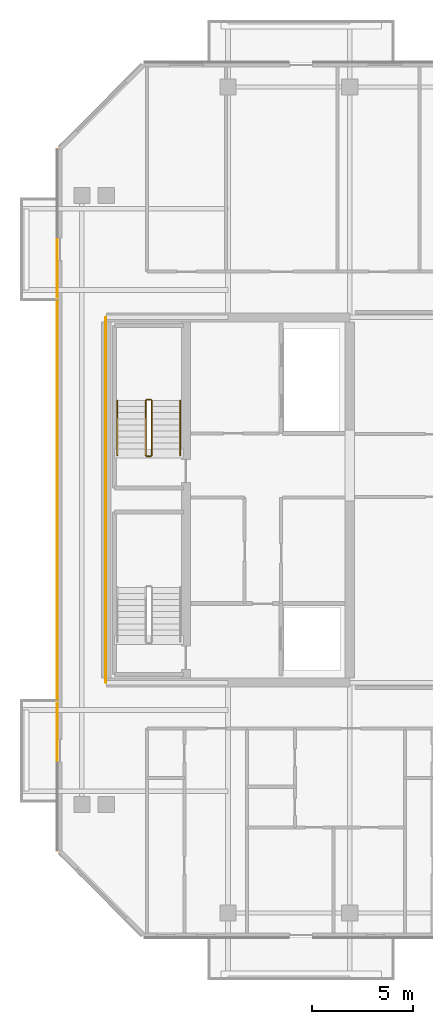
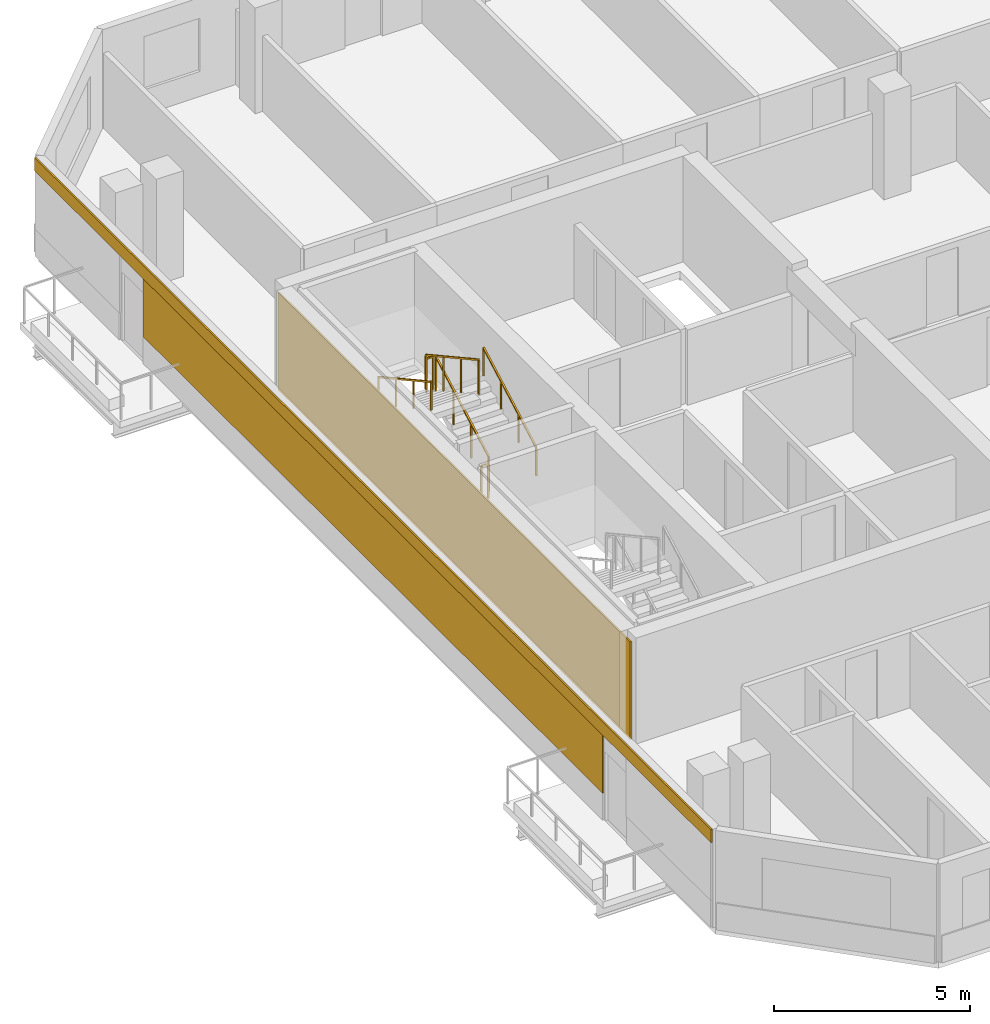
# One storey, part 18 of 20: 6 railings, 3 coverings.
"""IFC4 building model written with IfcOpenShell, lengths in metres."""

from ifc_helpers import new_model, si_unit, direction, frame, origin, origin_2d, place, context, subcontext, project, spatial, rectangle, extrude, material, layer, layer_set, type_object, element, save


model = new_model("IFC4")

# Units and contexts
model_context = context("Model", 3, precision=1e-05, world=origin(), true_north=direction((0.0, 1.0)))
body_context = subcontext(model_context, "Body", "Model", "MODEL_VIEW")
ifc_project = project(units=[si_unit("LENGTHUNIT", "METRE"), si_unit("AREAUNIT", "SQUARE_METRE"), si_unit("VOLUMEUNIT", "CUBIC_METRE"), si_unit("PLANEANGLEUNIT", "RADIAN"), si_unit("MASSUNIT", "GRAM", prefix="KILO")], contexts=[model_context])

# Site, building, storey
site_placement = place(None, origin())
site = spatial("IfcSite", under=ifc_project, at=site_placement, CompositionType="ELEMENT")
building_placement = place(site_placement, origin())
building = spatial("IfcBuilding", under=site, at=building_placement, Name="Tanjung Sevakor Pilgrim Tower", CompositionType="ELEMENT")
storey_placement = place(building_placement, frame((0.0, 0.0, 201.6298828125)))
storey = spatial("IfcBuildingStorey", under=building, at=storey_placement, Name="L56", CompositionType="ELEMENT", Elevation=201.6298828125)

# Coverings
ifc_material_1 = material(Name="Reconstructed Limestone Cladding", Category="masonry")
ifc_layer = layer(ifc_material_1, 0.044921875)
ifc_layer_set = layer_set([ifc_layer], Name="COV-CLAD-LIMESTONE")
covering_type = type_object("IfcCoveringType", Name="COV-CLAD-LIMESTONE", PredefinedType="CLADDING", material=ifc_layer_set)
covering_1_placement = place(storey_placement, frame((21.577392578125, 33.60009765625, 2.66015625), z_axis=(0.0, 0.0, 1.0), x_axis=(0.0, -1.0, 0.0)))
element("IfcCovering", 1, at=covering_1_placement, inside=storey, type_object=covering_type, Name="L56 Warm Limestone Cornice Spandrel EW-L56-MAIN-15", PredefinedType="CLADDING", context=body_context, shape_type="SweptSolid", body=[
    extrude(rectangle(XDim=34.56884765625, YDim=0.044921875, at=origin_2d()), origin(), (0.0, 0.0, 1.0), 0.409912109375),
])
covering_2_placement = place(storey_placement, frame((21.577392578125, 33.60009765625, 0.85009765625), z_axis=(0.0, 0.0, 1.0), x_axis=(0.0, -1.0, 0.0)))
element("IfcCovering", 2, at=covering_2_placement, inside=storey, type_object=covering_type, Name="L56 Warm Limestone Pier Panel EW-L56-MAIN-15-2", PredefinedType="CLADDING", context=body_context, shape_type="SweptSolid", body=[
    extrude(rectangle(XDim=23.5, YDim=0.044921875, at=origin_2d()), origin(), (0.0, 0.0, 1.0), 1.81005859375),
])
covering_3_placement = place(storey_placement, frame((23.9775390625, 33.60009765625, 0.02001953125), z_axis=(0.0, 0.0, 1.0), x_axis=(1.0, 0.0, 0.0)))
element("IfcCovering", 3, at=covering_3_placement, inside=storey, type_object=covering_type, Name="L56 Expressed Core Warm Limestone Cladding W", PredefinedType="CLADDING", context=body_context, shape_type="SweptSolid", body=[
    extrude(rectangle(XDim=0.044921875, YDim=18.0, at=origin_2d()), origin(), (0.0, 0.0, 1.0), 3.0400390625),
])

# Railings
ifc_material_2 = material(Name="Steel S355J2", Category="steel")
railing_type_1 = type_object("IfcRailingType", Name="RL-STAIR-GUARD", PredefinedType="GUARDRAIL", material=ifc_material_2)
railing_1_placement = place(storey_placement, frame((26.25, 35.800048828125, 0.1650390625)))
element("IfcRailing", 4, at=railing_1_placement, inside=storey, type_object=railing_type_1, Name="L56 TS-W2 stair guard 1", PredefinedType="GUARDRAIL", context=body_context, shape_type="SweptSolid", body=[
    extrude(rectangle(XDim=0.0479, YDim=0.0479), frame((0.0, 0.0, 1.076171875), z_axis=(0.0, 0.876197507361, 0.481952205197), x_axis=(-1.0, 0.0, 0.0)), (0.0, 0.0, 1.0), 3.08154296875),
    extrude(rectangle(XDim=0.042, YDim=0.042), origin(), (0.0, 0.0, 1.0), 1.052001953125),
    extrude(rectangle(XDim=0.042, YDim=0.042), frame((0.0, 0.89990234375, 0.4951171875)), (0.0, 0.0, 1.0), 1.052001953125),
    extrude(rectangle(XDim=0.042, YDim=0.042), frame((0.0, 1.800048828125, 0.989990234375)), (0.0, 0.0, 1.0), 1.052001953125),
    extrude(rectangle(XDim=0.042, YDim=0.042), frame((0.0, 2.699951171875, 1.485107421875)), (0.0, 0.0, 1.0), 1.052001953125),
])
railing_2_placement = place(storey_placement, frame((26.199951171875, 38.550048828125, 1.650146484375)))
element("IfcRailing", 5, at=railing_2_placement, inside=storey, type_object=railing_type_1, Name="L56 TS-W2 stair guard 2", PredefinedType="GUARDRAIL", context=body_context, shape_type="SweptSolid", body=[
    extrude(rectangle(XDim=0.0479, YDim=0.0479), frame((0.0, 0.0, 1.076171875), z_axis=(-1.0, 0.0, 0.0), x_axis=(0.0, -1.0, 0.0)), (0.0, 0.0, 1.0), 0.199951171875),
    extrude(rectangle(XDim=0.042, YDim=0.042), origin(), (0.0, 0.0, 1.0), 1.052001953125),
    extrude(rectangle(XDim=0.042, YDim=0.042), frame((-0.199951171875, 0.0, 0.0)), (0.0, 0.0, 1.0), 1.052001953125),
])
railing_3_placement = place(storey_placement, frame((25.949951171875, 38.5, 1.815185546875)))
element("IfcRailing", 6, at=railing_3_placement, inside=storey, type_object=railing_type_1, Name="L56 TS-W2 stair guard 3", PredefinedType="GUARDRAIL", context=body_context, shape_type="SweptSolid", body=[
    extrude(rectangle(XDim=0.0479, YDim=0.0479), frame((0.0, 0.0, 1.076171875), z_axis=(0.0, -0.876230963923, 0.481891375584), x_axis=(1.0, 0.0, 0.0)), (0.0, 0.0, 1.0), 3.081298828125),
    extrude(rectangle(XDim=0.042, YDim=0.042), origin(), (0.0, 0.0, 1.0), 1.052001953125),
    extrude(rectangle(XDim=0.042, YDim=0.042), frame((0.0, -0.89990234375, 0.494873046875)), (0.0, 0.0, 1.0), 1.052001953125),
    extrude(rectangle(XDim=0.042, YDim=0.042), frame((0.0, -1.800048828125, 0.989990234375)), (0.0, 0.0, 1.0), 1.052001953125),
    extrude(rectangle(XDim=0.042, YDim=0.042), frame((0.0, -2.699951171875, 1.48486328125)), (0.0, 0.0, 1.0), 1.052001953125),
])
railing_4_placement = place(storey_placement, frame((26.199951171875, 35.75, 0.0)))
element("IfcRailing", 7, at=railing_4_placement, inside=storey, type_object=railing_type_1, Name="L56 TS-W2 stair guard 4", PredefinedType="GUARDRAIL", context=body_context, shape_type="SweptSolid", body=[
    extrude(rectangle(XDim=0.0479, YDim=0.0479), frame((0.0, 0.0, 1.076171875), z_axis=(-1.0, 0.0, 0.0), x_axis=(0.0, -1.0, 0.0)), (0.0, 0.0, 1.0), 0.199951171875),
    extrude(rectangle(XDim=0.042, YDim=0.042), origin(), (0.0, 0.0, 1.0), 1.052001953125),
    extrude(rectangle(XDim=0.042, YDim=0.042), frame((-0.199951171875, 0.0, 0.0)), (0.0, 0.0, 1.0), 1.052001953125),
])
ifc_material_3 = material(Name="Steel S355J2", Category="steel")
railing_type_2 = type_object("IfcRailingType", Name="RL-STAIR-HAND", PredefinedType="HANDRAIL", material=ifc_material_3)
railing_5_placement = place(storey_placement, frame((27.64990234375, 35.800048828125, 0.1650390625)))
element("IfcRailing", 8, at=railing_5_placement, inside=storey, type_object=railing_type_2, Name="L56 TS-W2 stair handrail 1", PredefinedType="HANDRAIL", context=body_context, shape_type="SweptSolid", body=[
    extrude(rectangle(XDim=0.0479, YDim=0.0479), frame((0.0, 0.0, 0.8759765625), z_axis=(0.0, 0.876197507361, 0.481952205197), x_axis=(-1.0, 0.0, 0.0)), (0.0, 0.0, 1.0), 3.08154296875),
    extrude(rectangle(XDim=0.042, YDim=0.042), origin(), (0.0, 0.0, 1.0), 0.851806640625),
    extrude(rectangle(XDim=0.042, YDim=0.042), frame((0.0, 0.89990234375, 0.4951171875)), (0.0, 0.0, 1.0), 0.851806640625),
    extrude(rectangle(XDim=0.042, YDim=0.042), frame((0.0, 1.800048828125, 0.989990234375)), (0.0, 0.0, 1.0), 0.851806640625),
    extrude(rectangle(XDim=0.042, YDim=0.042), frame((0.0, 2.699951171875, 1.485107421875)), (0.0, 0.0, 1.0), 0.851806640625),
])
railing_6_placement = place(storey_placement, frame((24.550048828125, 38.5, 1.815185546875)))
element("IfcRailing", 9, at=railing_6_placement, inside=storey, type_object=railing_type_2, Name="L56 TS-W2 stair handrail 2", PredefinedType="HANDRAIL", context=body_context, shape_type="SweptSolid", body=[
    extrude(rectangle(XDim=0.0479, YDim=0.0479), frame((0.0, 0.0, 0.8759765625), z_axis=(0.0, -0.876230963923, 0.481891375584), x_axis=(1.0, 0.0, 0.0)), (0.0, 0.0, 1.0), 3.081298828125),
    extrude(rectangle(XDim=0.042, YDim=0.042), origin(), (0.0, 0.0, 1.0), 0.851806640625),
    extrude(rectangle(XDim=0.042, YDim=0.042), frame((0.0, -0.89990234375, 0.494873046875)), (0.0, 0.0, 1.0), 0.851806640625),
    extrude(rectangle(XDim=0.042, YDim=0.042), frame((0.0, -1.800048828125, 0.989990234375)), (0.0, 0.0, 1.0), 0.851806640625),
    extrude(rectangle(XDim=0.042, YDim=0.042), frame((0.0, -2.699951171875, 1.48486328125)), (0.0, 0.0, 1.0), 0.851806640625),
])

save(model, "model.ifc")
